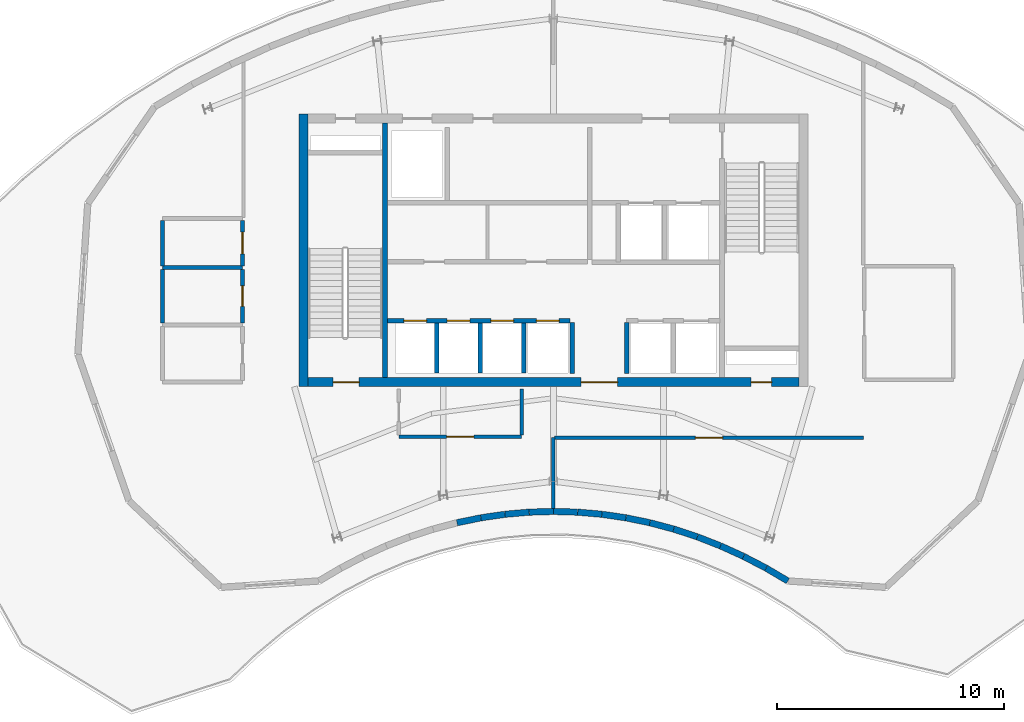
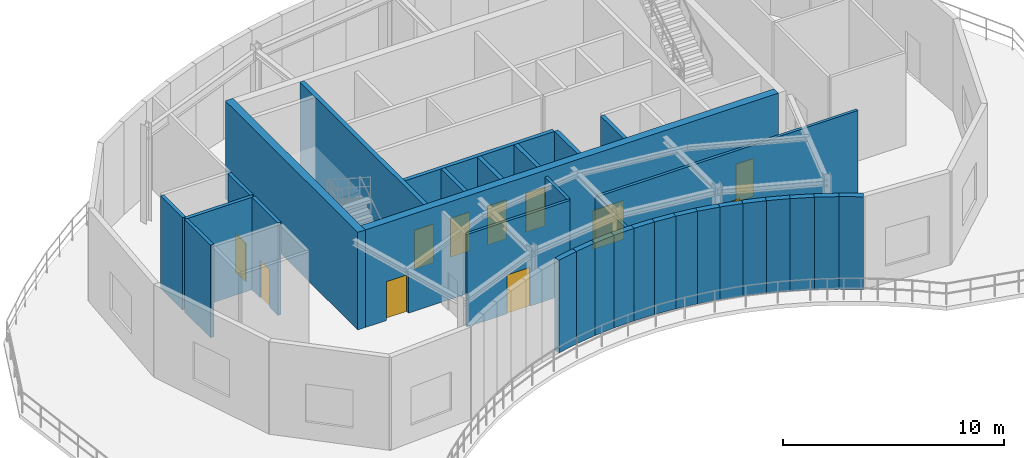
# One storey, part 3 of 8: 32 walls, 11 doors, 11 openings.
"""IFC4 building model written with IfcOpenShell, lengths in metres."""

from ifc_helpers import new_model, si_unit, direction, frame, frame_2d, origin, place, context, subcontext, project, spatial, rectangle, extrude, source, transform, mapped, material, layer, layer_set, type_object, type_shapes, element, fill, save


model = new_model("IFC4")

# Units and contexts
model_context = context("Model", 3, precision=1e-05, world=origin(), true_north=direction((0.0, 1.0)))
body_context = subcontext(model_context, "Body", "Model", "MODEL_VIEW")
ifc_project = project(units=[si_unit("LENGTHUNIT", "METRE"), si_unit("AREAUNIT", "SQUARE_METRE"), si_unit("VOLUMEUNIT", "CUBIC_METRE"), si_unit("PLANEANGLEUNIT", "RADIAN"), si_unit("MASSUNIT", "GRAM", prefix="KILO")], contexts=[model_context])

# Site, building, storey
site_placement = place(None, origin())
site = spatial("IfcSite", under=ifc_project, at=site_placement, CompositionType="ELEMENT")
building_placement = place(site_placement, origin())
building = spatial("IfcBuilding", under=site, at=building_placement, Name="Breltana Convention Tower", CompositionType="ELEMENT")
storey_placement = place(building_placement, frame((0.0, 0.0, 312.60009765625)))
storey = spatial("IfcBuildingStorey", under=building, at=storey_placement, Name="L76", CompositionType="ELEMENT", Elevation=312.60009765625)

# Wall
ifc_material_1 = material(Name="Concrete C50/60", Category="concrete")
ifc_layer_1 = layer(ifc_material_1, 0.39990234375, Name="Concrete C50/60")
ifc_layer_set_1 = layer_set([ifc_layer_1], Name="Concrete C50/60")
wall_type_1 = type_object("IfcWallType", Name="SW-CORE-400", PredefinedType="SHEAR", material=ifc_layer_set_1)
shared_shape_1 = source(origin(), body_context, "Body", "SweptSolid", [
    extrude(rectangle(XDim=12.0, YDim=0.39990234375, at=frame_2d((6.0, 0.0))), origin(), (0.0, 0.0, 1.0), 5.39990234375),
])
wall_1_placement = place(storey_placement, frame((37.0, 60.199951171875, 0.0), z_axis=(0.0, 0.0, 1.0), x_axis=(0.0, 1.0, 0.0)))
element("IfcWall", 1, at=wall_1_placement, inside=storey, type_object=wall_type_1, Name="L76 West Core Shear Wall", PredefinedType="SHEAR", context=body_context, shape_type="MappedRepresentation", body=[
    mapped(shared_shape_1, transform((0.0, 0.0, 0.0), scale=1.0)),
])

# Wall, openings, doors
shared_shape_2 = source(origin(), body_context, "Body", "SweptSolid", [
    extrude(rectangle(XDim=21.60009765625, YDim=0.39990234375, at=frame_2d((10.800048828125, 0.0))), origin(), (0.0, 0.0, 1.0), 5.39990234375),
])
wall_2_placement = place(storey_placement, frame((37.199951171875, 60.39990234375, 0.0), z_axis=(0.0, 0.0, 1.0), x_axis=(1.0, 0.0, 0.0)))
wall_2 = element("IfcWall", 2, at=wall_2_placement, inside=storey, type_object=wall_type_1, Name="L76 South Core Shear Wall", PredefinedType="SHEAR", context=body_context, shape_type="MappedRepresentation", body=[
    mapped(shared_shape_2, transform((0.0, 0.0, 0.0), scale=1.0)),
])
opening_1_placement = place(wall_2_placement, frame((1.10009765625, 0.0, 0.0)))
opening_1 = element("IfcOpeningElement", 3, at=opening_1_placement, cuts=wall_2, Name="Opening D-11", PredefinedType="OPENING", context=body_context, shape_type="SweptSolid", body=[
    extrude(rectangle(XDim=1.14990234375, YDim=2.14990234375, at=frame_2d((0.574951171875, 1.074951171875))), frame((0.0, 0.2099609375, 0.0), z_axis=(0.0, -1.0, 0.0), x_axis=(1.0, 0.0, 0.0)), (0.0, 0.0, 1.0), 0.419921875),
])
opening_2_placement = place(wall_2_placement, frame((19.5, 0.0, 0.0)))
opening_2 = element("IfcOpeningElement", 4, at=opening_2_placement, cuts=wall_2, Name="Opening D-18", PredefinedType="OPENING", context=body_context, shape_type="SweptSolid", body=[
    extrude(rectangle(XDim=0.89990234375, YDim=2.10009765625, at=frame_2d((0.449951171875, 1.050048828125))), frame((0.0, 0.2099609375, 0.0), z_axis=(0.0, -1.0, 0.0), x_axis=(1.0, 0.0, 0.0)), (0.0, 0.0, 1.0), 0.419921875),
])
opening_3_placement = place(wall_2_placement, frame((12.02001953125, 0.0, 0.0)))
opening_3 = element("IfcOpeningElement", 5, at=opening_3_placement, cuts=wall_2, Name="Opening D-02", PredefinedType="OPENING", context=body_context, shape_type="SweptSolid", body=[
    extrude(rectangle(XDim=1.60009765625, YDim=2.14990234375, at=frame_2d((0.800048828125, 1.074951171875))), frame((0.0, 0.2099609375, 0.0), z_axis=(0.0, -1.0, 0.0), x_axis=(1.0, 0.0, 0.0)), (0.0, 0.0, 1.0), 0.419921875),
])
ifc_material_2 = material(Name="Steel Stair Exit Door", Category="steel")
door_type_1 = type_object("IfcDoorType", Name="DR-FD120-1150", OperationType="NOTDEFINED", PredefinedType="DOOR", material=ifc_material_2)
shared_shape_3 = source(origin(), body_context, "Body", "SweptSolid", [
    extrude(rectangle(XDim=1.14990234375, YDim=2.14990234375, at=frame_2d((0.574951171875, 1.074951171875))), frame((0.0, 0.02490234375, 0.0), z_axis=(0.0, -1.0, 0.0), x_axis=(1.0, 0.0, 0.0)), (0.0, 0.0, 1.0), 0.050048828125),
])
type_shapes(door_type_1, [shared_shape_3])
door_1_placement = place(opening_1_placement, origin())
door_1 = element("IfcDoor", 6, at=door_1_placement, inside=storey, type_object=door_type_1, Name="L76 interior door D-L76-ST1", OperationType="SINGLE_SWING_LEFT", OverallHeight=2.14990234375, OverallWidth=1.14990234375, PredefinedType="DOOR", context=body_context, shape_type="MappedRepresentation", body=[
    mapped(shared_shape_3, transform((0.0, 0.0, 0.0), scale=1.0)),
])
fill(opening_1, door_1)
ifc_material_3 = material(Name="Steel Riser Fire Door", Category="steel")
door_type_2 = type_object("IfcDoorType", Name="DR-FD60-900", OperationType="NOTDEFINED", PredefinedType="DOOR", material=ifc_material_3)
shared_shape_4 = source(origin(), body_context, "Body", "SweptSolid", [
    extrude(rectangle(XDim=0.89990234375, YDim=2.10009765625, at=frame_2d((0.449951171875, 1.050048828125))), frame((0.0, 0.02490234375, 0.0), z_axis=(0.0, -1.0, 0.0), x_axis=(1.0, 0.0, 0.0)), (0.0, 0.0, 1.0), 0.050048828125),
])
type_shapes(door_type_2, [shared_shape_4])
door_2_placement = place(opening_2_placement, origin())
door_2 = element("IfcDoor", 7, at=door_2_placement, inside=storey, type_object=door_type_2, Name="L76 Core Riser Access Door D-L76-RS2", OperationType="SINGLE_SWING_RIGHT", OverallHeight=2.10009765625, OverallWidth=0.89990234375, PredefinedType="DOOR", context=body_context, shape_type="MappedRepresentation", body=[
    mapped(shared_shape_4, transform((0.0, 0.0, 0.0), scale=1.0)),
])
fill(opening_2, door_2)
ifc_material_4 = material(Name="Steel Glazed Smoke-Control Door", Category="steel")
door_type_3 = type_object("IfcDoorType", Name="DR-DBL-FD90-1600", OperationType="DOUBLE_DOOR_SINGLE_SWING", PredefinedType="DOOR", material=ifc_material_4)
shared_shape_5 = source(origin(), body_context, "Body", "SweptSolid", [
    extrude(rectangle(XDim=1.60009765625, YDim=2.14990234375, at=frame_2d((0.800048828125, 1.074951171875))), frame((0.0, 0.02490234375, 0.0), z_axis=(0.0, -1.0, 0.0), x_axis=(1.0, 0.0, 0.0)), (0.0, 0.0, 1.0), 0.050048828125),
])
type_shapes(door_type_3, [shared_shape_5])
door_3_placement = place(opening_3_placement, origin())
door_3 = element("IfcDoor", 8, at=door_3_placement, inside=storey, type_object=door_type_3, Name="L76 interior door D-L76-LLB-S", OperationType="DOUBLE_DOOR_SINGLE_SWING", OverallHeight=2.14990234375, OverallWidth=1.60009765625, PredefinedType="DOOR", context=body_context, shape_type="MappedRepresentation", body=[
    mapped(shared_shape_5, transform((0.0, 0.0, 0.0), scale=1.0)),
])
fill(opening_3, door_3)

# Walls
shared_shape_6 = source(origin(), body_context, "Body", "SweptSolid", [
    extrude(rectangle(XDim=11.199951171875, YDim=0.219970703125, at=frame_2d((5.60009765625, 0.0))), origin(), (0.0, 0.0, 1.0), 5.39990234375),
])
wall_3_placement = place(storey_placement, frame((40.580078125, 60.60009765625, 0.0), z_axis=(0.0, 0.0, 1.0), x_axis=(0.0, 1.0, 0.0)))
element("IfcWall", 9, at=wall_3_placement, inside=storey, type_object=wall_type_1, Name="L76 Core West Stair Spine Wall", PredefinedType="SHEAR", context=body_context, shape_type="MappedRepresentation", body=[
    mapped(shared_shape_6, transform((0.0, 0.0, 0.0), scale=1.0)),
])
ifc_material_5 = material(Name="Limestone Buff Insulated Wall", Category="masonry")
ifc_layer_2 = layer(ifc_material_5, 0.280029296875, Name="Limestone Buff Insulated Wall")
ifc_layer_set_2 = layer_set([ifc_layer_2], Name="Limestone Buff Insulated Wall")
wall_type_2 = type_object("IfcWallType", Name="WL-EXT-NOSE-280", PredefinedType="SOLIDWALL", material=ifc_layer_set_2)
shared_shape_7 = source(origin(), body_context, "Body", "SweptSolid", [
    extrude(rectangle(XDim=1.10986328125, YDim=0.280029296875, at=frame_2d((0.554931640625, 0.0))), origin(), (0.0, 0.0, 1.0), 5.119873046875),
])
wall_4_placement = place(storey_placement, frame((58.31494140625, 51.650390625, 0.0), z_axis=(0.0, 0.0, 1.0), x_axis=(-0.861407855959, 0.507913876254, 0.0)))
element("IfcWall", 10, at=wall_4_placement, inside=storey, type_object=wall_type_2, Name="L76 Sky Lookout enclosure wall 6", PredefinedType="SOLIDWALL", context=body_context, shape_type="MappedRepresentation", body=[
    mapped(shared_shape_7, transform((0.0, 0.0, 0.0), scale=1.0)),
])
shared_shape_8 = source(origin(), body_context, "Body", "SweptSolid", [
    extrude(rectangle(XDim=1.116455078125, YDim=0.280029296875, at=frame_2d((0.55810546875, 0.0))), origin(), (0.0, 0.0, 1.0), 5.119873046875),
])
wall_5_placement = place(storey_placement, frame((57.355224609375, 52.21630859375, 0.0), z_axis=(0.0, 0.0, 1.0), x_axis=(-0.886822600165, 0.462110025684, 0.0)))
element("IfcWall", 11, at=wall_5_placement, inside=storey, type_object=wall_type_2, Name="L76 Sky Lookout enclosure wall 8", PredefinedType="SOLIDWALL", context=body_context, shape_type="MappedRepresentation", body=[
    mapped(shared_shape_8, transform((0.0, 0.0, 0.0), scale=1.0)),
])
shared_shape_9 = source(origin(), body_context, "Body", "SweptSolid", [
    extrude(rectangle(XDim=1.10546875, YDim=0.280029296875, at=frame_2d((0.552734375, 0.0))), origin(), (0.0, 0.0, 1.0), 5.119873046875),
])
wall_6_placement = place(storey_placement, frame((56.361328125, 52.73388671875, 0.0), z_axis=(0.0, 0.0, 1.0), x_axis=(-0.910215134163, 0.414135738063, 0.0)))
element("IfcWall", 12, at=wall_6_placement, inside=storey, type_object=wall_type_2, Name="L76 Sky Lookout enclosure wall 10", PredefinedType="SOLIDWALL", context=body_context, shape_type="MappedRepresentation", body=[
    mapped(shared_shape_9, transform((0.0, 0.0, 0.0), scale=1.0)),
])
shared_shape_10 = source(origin(), body_context, "Body", "SweptSolid", [
    extrude(rectangle(XDim=1.094970703125, YDim=0.280029296875, at=frame_2d((0.54736328125, 0.0))), origin(), (0.0, 0.0, 1.0), 5.119873046875),
])
wall_7_placement = place(storey_placement, frame((55.351318359375, 53.193359375, 0.0), z_axis=(0.0, 0.0, 1.0), x_axis=(-0.931459710654, 0.363844482477, 0.0)))
element("IfcWall", 13, at=wall_7_placement, inside=storey, type_object=wall_type_2, Name="L76 Sky Lookout enclosure wall 12", PredefinedType="SOLIDWALL", context=body_context, shape_type="MappedRepresentation", body=[
    mapped(shared_shape_10, transform((0.0, 0.0, 0.0), scale=1.0)),
])
shared_shape_11 = source(origin(), body_context, "Body", "SweptSolid", [
    extrude(rectangle(XDim=1.0859375, YDim=0.280029296875, at=frame_2d((0.54296875, 0.0))), origin(), (0.0, 0.0, 1.0), 5.119873046875),
])
wall_8_placement = place(storey_placement, frame((54.3271484375, 53.59326171875, 0.0), z_axis=(0.0, 0.0, 1.0), x_axis=(-0.950222994825, 0.311570634215, 0.0)))
element("IfcWall", 14, at=wall_8_placement, inside=storey, type_object=wall_type_2, Name="L76 Sky Lookout enclosure wall 14", PredefinedType="SOLIDWALL", context=body_context, shape_type="MappedRepresentation", body=[
    mapped(shared_shape_11, transform((0.0, 0.0, 0.0), scale=1.0)),
])
shared_shape_12 = source(origin(), body_context, "Body", "SweptSolid", [
    extrude(rectangle(XDim=1.07861328125, YDim=0.280029296875, at=frame_2d((0.539306640625, 0.0))), origin(), (0.0, 0.0, 1.0), 5.119873046875),
])
wall_9_placement = place(storey_placement, frame((53.291015625, 53.932861328125, 0.0), z_axis=(0.0, 0.0, 1.0), x_axis=(-0.966257476267, 0.257578123212, 0.0)))
element("IfcWall", 15, at=wall_9_placement, inside=storey, type_object=wall_type_2, Name="L76 Sky Lookout enclosure wall 16", PredefinedType="SOLIDWALL", context=body_context, shape_type="MappedRepresentation", body=[
    mapped(shared_shape_12, transform((0.0, 0.0, 0.0), scale=1.0)),
])
shared_shape_13 = source(origin(), body_context, "Body", "SweptSolid", [
    extrude(rectangle(XDim=1.072021484375, YDim=0.280029296875, at=frame_2d((0.5361328125, 0.0))), origin(), (0.0, 0.0, 1.0), 5.119873046875),
])
for number, where, z_axis, x_axis, name in (
    (16, (52.244384765625, 54.211669921875, 0.0), (0.0, 0.0, 1.0), (-0.979380232321, 0.202025643272, 0.0), "L76 Sky Lookout enclosure wall 18"),
    (17, (44.805419921875, 54.42822265625, 0.0), (0.0, 0.0, 1.0), (-0.979380232321, -0.202025643272, 0.0), "L76 Sky Lookout enclosure wall 32"),
):
    element("IfcWall", number, at=place(storey_placement, frame(where, z_axis=z_axis, x_axis=x_axis)), inside=storey, type_object=wall_type_2, Name=name, PredefinedType="SOLIDWALL", context=body_context, shape_type="MappedRepresentation", body=[
        mapped(shared_shape_13, transform((0.0, 0.0, 0.0), scale=1.0)),
    ])
shared_shape_14 = source(origin(), body_context, "Body", "SweptSolid", [
    extrude(rectangle(XDim=1.0673828125, YDim=0.280029296875, at=frame_2d((0.53369140625, 0.0))), origin(), (0.0, 0.0, 1.0), 5.119873046875),
])
for number, where, z_axis, x_axis, name in (
    (18, (51.18994140625, 54.42919921875, 0.0), (0.0, 0.0, 1.0), (-0.989430671067, 0.14500671416, 0.0), "L76 Sky Lookout enclosure wall 20"),
    (19, (45.8662109375, 54.583984375, 0.0), (0.0, 0.0, 1.0), (-0.989430671067, -0.14500671416, 0.0), "L76 Sky Lookout enclosure wall 30"),
):
    element("IfcWall", number, at=place(storey_placement, frame(where, z_axis=z_axis, x_axis=x_axis)), inside=storey, type_object=wall_type_2, Name=name, PredefinedType="SOLIDWALL", context=body_context, shape_type="MappedRepresentation", body=[
        mapped(shared_shape_14, transform((0.0, 0.0, 0.0), scale=1.0)),
    ])
shared_shape_15 = source(origin(), body_context, "Body", "SweptSolid", [
    extrude(rectangle(XDim=1.064208984375, YDim=0.280029296875, at=frame_2d((0.5322265625, 0.0))), origin(), (0.0, 0.0, 1.0), 5.119873046875),
])
for number, where, z_axis, x_axis, name in (
    (20, (50.129150390625, 54.58447265625, 0.0), (0.0, 0.0, 1.0), (-0.996172270916, 0.087411707789, 0.0), "L76 Sky Lookout enclosure wall 22"),
    (21, (46.930908203125, 54.677490234375, 0.0), (0.0, 0.0, 1.0), (-0.996172270916, -0.087411707789, 0.0), "L76 Sky Lookout enclosure wall 28"),
):
    element("IfcWall", number, at=place(storey_placement, frame(where, z_axis=z_axis, x_axis=x_axis)), inside=storey, type_object=wall_type_2, Name=name, PredefinedType="SOLIDWALL", context=body_context, shape_type="MappedRepresentation", body=[
        mapped(shared_shape_15, transform((0.0, 0.0, 0.0), scale=1.0)),
    ])
shared_shape_16 = source(origin(), body_context, "Body", "SweptSolid", [
    extrude(rectangle(XDim=1.062744140625, YDim=0.280029296875, at=frame_2d((0.53125, 0.0))), origin(), (0.0, 0.0, 1.0), 5.119873046875),
])
for number, where, z_axis, x_axis, name in (
    (22, (49.064453125, 54.677978515625, 0.0), (0.0, 0.0, 1.0), (-0.99957428213, 0.029176266107, 0.0), "L76 Sky Lookout enclosure wall 24"),
    (23, (47.997802734375, 54.708984375, 0.0), (0.0, 0.0, 1.0), (-0.99957428213, -0.029176266107, 0.0), "L76 Sky Lookout enclosure wall 26"),
):
    element("IfcWall", number, at=place(storey_placement, frame(where, z_axis=z_axis, x_axis=x_axis)), inside=storey, type_object=wall_type_2, Name=name, PredefinedType="SOLIDWALL", context=body_context, shape_type="MappedRepresentation", body=[
        mapped(shared_shape_16, transform((0.0, 0.0, 0.0), scale=1.0)),
    ])
ifc_material_6 = material(Name="Autoclaved Aerated Concrete Block", Category="concrete")
ifc_layer_3 = layer(ifc_material_6, 0.199951171875, Name="Autoclaved Aerated Concrete Block")
ifc_layer_set_3 = layer_set([ifc_layer_3], Name="Autoclaved Aerated Concrete Block")
wall_type_3 = type_object("IfcWallType", Name="WL-SHAFT-200", PredefinedType="SOLIDWALL", material=ifc_layer_set_3)
shared_shape_17 = source(origin(), body_context, "Body", "SweptSolid", [
    extrude(rectangle(XDim=2.239990234375, YDim=0.199951171875, at=frame_2d((1.1201171875, 0.0))), origin(), (0.0, 0.0, 1.0), 5.119873046875),
])
for number, where, z_axis, x_axis, name in (
    (24, (48.820068359375, 60.780029296875, 0.0), (0.0, 0.0, 1.0), (0.0, 1.0, 0.0), "L76 interior partition W-L76-PORT-W"),
    (25, (51.219970703125, 60.780029296875, 0.0), (0.0, 0.0, 1.0), (0.0, 1.0, 0.0), "L76 interior partition W-L76-PORT-E"),
):
    element("IfcWall", number, at=place(storey_placement, frame(where, z_axis=z_axis, x_axis=x_axis)), inside=storey, type_object=wall_type_3, Name=name, PredefinedType="SOLIDWALL", context=body_context, shape_type="MappedRepresentation", body=[
        mapped(shared_shape_17, transform((0.0, 0.0, 0.0), scale=1.0)),
    ])

# Wall, openings, doors
shared_shape_18 = source(origin(), body_context, "Body", "SweptSolid", [
    extrude(rectangle(XDim=8.02001953125, YDim=0.199951171875, at=frame_2d((4.010009765625, 0.0))), origin(), (0.0, 0.0, 1.0), 5.119873046875),
])
wall_10_placement = place(storey_placement, frame((40.699951171875, 63.10009765625, 0.0), z_axis=(0.0, 0.0, 1.0), x_axis=(1.0, 0.0, 0.0)))
wall_10 = element("IfcWall", 26, at=wall_10_placement, inside=storey, type_object=wall_type_3, Name="L76 interior partition W-L76-SH-S-FRONT", PredefinedType="SOLIDWALL", context=body_context, shape_type="MappedRepresentation", body=[
    mapped(shared_shape_18, transform((0.0, 0.0, 0.0), scale=1.0)),
])
opening_4_placement = place(wall_10_placement, frame((0.719970703125, 0.0, 0.0)))
opening_4 = element("IfcOpeningElement", 27, at=opening_4_placement, cuts=wall_10, Name="Opening LD-04", PredefinedType="OPENING", context=body_context, shape_type="SweptSolid", body=[
    extrude(rectangle(XDim=1.0, YDim=2.14990234375, at=frame_2d((0.5, 1.074951171875))), frame((0.0, 0.10986328125, 0.0), z_axis=(0.0, -1.0, 0.0), x_axis=(1.0, 0.0, 0.0)), (0.0, 0.0, 1.0), 0.219970703125),
])
opening_5_placement = place(wall_10_placement, frame((2.6201171875, 0.0, 0.0)))
opening_5 = element("IfcOpeningElement", 28, at=opening_5_placement, cuts=wall_10, Name="Opening LD-04", PredefinedType="OPENING", context=body_context, shape_type="SweptSolid", body=[
    extrude(rectangle(XDim=1.0, YDim=2.14990234375, at=frame_2d((0.5, 1.074951171875))), frame((0.0, 0.10986328125, 0.0), z_axis=(0.0, -1.0, 0.0), x_axis=(1.0, 0.0, 0.0)), (0.0, 0.0, 1.0), 0.219970703125),
])
opening_6_placement = place(wall_10_placement, frame((4.550048828125, 0.0, 0.0)))
opening_6 = element("IfcOpeningElement", 29, at=opening_6_placement, cuts=wall_10, Name="Opening LD-04", PredefinedType="OPENING", context=body_context, shape_type="SweptSolid", body=[
    extrude(rectangle(XDim=1.0, YDim=2.14990234375, at=frame_2d((0.5, 1.074951171875))), frame((0.0, 0.10986328125, 0.0), z_axis=(0.0, -1.0, 0.0), x_axis=(1.0, 0.0, 0.0)), (0.0, 0.0, 1.0), 0.219970703125),
])
opening_7_placement = place(wall_10_placement, frame((6.550048828125, 0.0, 0.0)))
opening_7 = element("IfcOpeningElement", 30, at=opening_7_placement, cuts=wall_10, Name="Opening LD-04", PredefinedType="OPENING", context=body_context, shape_type="SweptSolid", body=[
    extrude(rectangle(XDim=1.0, YDim=2.14990234375, at=frame_2d((0.5, 1.074951171875))), frame((0.0, 0.10986328125, 0.0), z_axis=(0.0, -1.0, 0.0), x_axis=(1.0, 0.0, 0.0)), (0.0, 0.0, 1.0), 0.219970703125),
])
ifc_material_7 = material(Name="Stainless Steel Brushed", Category="steel")
door_type_4 = type_object("IfcDoorType", Name="DR-LD-PAX-1000", OperationType="DOUBLE_DOOR_SLIDING", PredefinedType="DOOR", material=ifc_material_7)
shared_shape_19 = source(origin(), body_context, "Body", "SweptSolid", [
    extrude(rectangle(XDim=1.0, YDim=2.14990234375, at=frame_2d((0.5, 1.074951171875))), frame((0.0, 0.02490234375, 0.0), z_axis=(0.0, -1.0, 0.0), x_axis=(1.0, 0.0, 0.0)), (0.0, 0.0, 1.0), 0.050048828125),
])
type_shapes(door_type_4, [shared_shape_19])
door_4_placement = place(opening_4_placement, origin())
door_4 = element("IfcDoor", 31, at=door_4_placement, inside=storey, type_object=door_type_4, Name="L76 Lift Landing Door D-L76-LD-S1", OperationType="DOUBLE_DOOR_SLIDING", OverallHeight=2.14990234375, OverallWidth=1.0, PredefinedType="DOOR", context=body_context, shape_type="MappedRepresentation", body=[
    mapped(shared_shape_19, transform((0.0, 0.0, 0.0), scale=1.0)),
])
fill(opening_4, door_4)
door_5_placement = place(opening_5_placement, origin())
door_5 = element("IfcDoor", 32, at=door_5_placement, inside=storey, type_object=door_type_4, Name="L76 Lift Landing Door D-L76-LD-S2", OperationType="DOUBLE_DOOR_SLIDING", OverallHeight=2.14990234375, OverallWidth=1.0, PredefinedType="DOOR", context=body_context, shape_type="MappedRepresentation", body=[
    mapped(shared_shape_19, transform((0.0, 0.0, 0.0), scale=1.0)),
])
fill(opening_5, door_5)
door_6_placement = place(opening_6_placement, origin())
door_6 = element("IfcDoor", 33, at=door_6_placement, inside=storey, type_object=door_type_4, Name="L76 Lift Landing Door D-L76-LD-S3", OperationType="DOUBLE_DOOR_SLIDING", OverallHeight=2.14990234375, OverallWidth=1.0, PredefinedType="DOOR", context=body_context, shape_type="MappedRepresentation", body=[
    mapped(shared_shape_19, transform((0.0, 0.0, 0.0), scale=1.0)),
])
fill(opening_6, door_6)
door_7_placement = place(opening_7_placement, origin())
door_7 = element("IfcDoor", 34, at=door_7_placement, inside=storey, type_object=door_type_4, Name="L76 Lift Landing Door D-L76-LD-S4", OperationType="DOUBLE_DOOR_SLIDING", OverallHeight=2.14990234375, OverallWidth=1.0, PredefinedType="DOOR", context=body_context, shape_type="MappedRepresentation", body=[
    mapped(shared_shape_19, transform((0.0, 0.0, 0.0), scale=1.0)),
])
fill(opening_7, door_7)

# Walls
shared_shape_20 = source(origin(), body_context, "Body", "SweptSolid", [
    extrude(rectangle(XDim=2.199951171875, YDim=0.199951171875, at=frame_2d((1.10009765625, 0.0))), origin(), (0.0, 0.0, 1.0), 5.119873046875),
])
for number, where, z_axis, x_axis, name in (
    (35, (42.8701171875, 60.800048828125, 0.0), (0.0, 0.0, 1.0), (0.0, 1.0, 0.0), "L76 interior partition W-L76-SH-S-DIV1"),
    (36, (44.77001953125, 60.800048828125, 0.0), (0.0, 0.0, 1.0), (0.0, 1.0, 0.0), "L76 interior partition W-L76-SH-S-DIV2"),
    (37, (46.699951171875, 60.800048828125, 0.0), (0.0, 0.0, 1.0), (0.0, 1.0, 0.0), "L76 interior partition W-L76-SH-S-DIV3"),
):
    element("IfcWall", number, at=place(storey_placement, frame(where, z_axis=z_axis, x_axis=x_axis)), inside=storey, type_object=wall_type_3, Name=name, PredefinedType="SOLIDWALL", context=body_context, shape_type="MappedRepresentation", body=[
        mapped(shared_shape_20, transform((0.0, 0.0, 0.0), scale=1.0)),
    ])

# Wall, opening, door
ifc_material_8 = material(Name="Gypsum Acoustic Drywall Partition")
ifc_layer_4 = layer(ifc_material_8, 0.14990234375, Name="Gypsum Acoustic Drywall Partition")
ifc_layer_set_4 = layer_set([ifc_layer_4], Name="Gypsum Acoustic Drywall Partition")
wall_type_4 = type_object("IfcWallType", Name="WL-PART-150", PredefinedType="PARTITIONING", material=ifc_layer_set_4)
shared_shape_21 = source(origin(), body_context, "Body", "SweptSolid", [
    extrude(rectangle(XDim=5.400146484375, YDim=0.14990234375, at=frame_2d((2.7001953125, 0.0))), origin(), (0.0, 0.0, 1.0), 5.119873046875),
])
wall_11_placement = place(storey_placement, frame((41.199951171875, 58.0, 0.0), z_axis=(0.0, 0.0, 1.0), x_axis=(1.0, 0.0, 0.0)))
wall_11 = element("IfcWall", 38, at=wall_11_placement, inside=storey, type_object=wall_type_4, Name="L76 interior partition W-L76-CRSC-S", PredefinedType="PARTITIONING", context=body_context, shape_type="MappedRepresentation", body=[
    mapped(shared_shape_21, transform((0.0, 0.0, 0.0), scale=1.0)),
])
opening_8_placement = place(wall_11_placement, frame((2.10009765625, 0.0, 0.0)))
opening_8 = element("IfcOpeningElement", 39, at=opening_8_placement, cuts=wall_11, Name="Opening D-10", PredefinedType="OPENING", context=body_context, shape_type="SweptSolid", body=[
    extrude(rectangle(XDim=1.199951171875, YDim=2.14990234375, at=frame_2d((0.60009765625, 1.074951171875))), frame((0.0, 0.0849609375, 0.0), z_axis=(0.0, -1.0, 0.0), x_axis=(1.0, 0.0, 0.0)), (0.0, 0.0, 1.0), 0.169921875),
])
ifc_material_9 = material(Name="Timber Oak Veneer Fire Door", Category="wood")
door_type_5 = type_object("IfcDoorType", Name="DR-INT-1200", OperationType="NOTDEFINED", PredefinedType="DOOR", material=ifc_material_9)
shared_shape_22 = source(origin(), body_context, "Body", "SweptSolid", [
    extrude(rectangle(XDim=1.199951171875, YDim=2.14990234375, at=frame_2d((0.60009765625, 1.074951171875))), frame((0.0, 0.02490234375, 0.0), z_axis=(0.0, -1.0, 0.0), x_axis=(1.0, 0.0, 0.0)), (0.0, 0.0, 1.0), 0.050048828125),
])
type_shapes(door_type_5, [shared_shape_22])
door_8_placement = place(opening_8_placement, origin())
door_8 = element("IfcDoor", 40, at=door_8_placement, inside=storey, type_object=door_type_5, Name="L76 interior door D-L76-SLFY", OperationType="SINGLE_SWING_RIGHT", OverallHeight=2.14990234375, OverallWidth=1.199951171875, PredefinedType="DOOR", context=body_context, shape_type="MappedRepresentation", body=[
    mapped(shared_shape_22, transform((0.0, 0.0, 0.0), scale=1.0)),
])
fill(opening_8, door_8)

# Walls
shared_shape_23 = source(origin(), body_context, "Body", "SweptSolid", [
    extrude(rectangle(XDim=2.03271484375, YDim=0.14990234375, at=frame_2d((1.016357421875, 0.0))), origin(), (0.0, 0.0, 1.0), 5.119873046875),
])
wall_12_placement = place(storey_placement, frame((46.60009765625, 58.0673828125, 0.0), z_axis=(0.0, 0.0, 1.0), x_axis=(0.0, 1.0, 0.0)))
element("IfcWall", 41, at=wall_12_placement, inside=storey, type_object=wall_type_4, Name="L76 interior partition W-L76-CRSC-E", PredefinedType="PARTITIONING", context=body_context, shape_type="MappedRepresentation", body=[
    mapped(shared_shape_23, transform((0.0, 0.0, 0.0), scale=1.0)),
])
ifc_material_10 = material(Name="Moisture-Resistant Gypsum Chase Wall")
ifc_layer_5 = layer(ifc_material_10, 0.179931640625, Name="Moisture-Resistant Gypsum Chase Wall")
ifc_layer_set_5 = layer_set([ifc_layer_5], Name="Moisture-Resistant Gypsum Chase Wall")
wall_type_5 = type_object("IfcWallType", Name="WL-PLUMB-180", PredefinedType="PLUMBINGWALL", material=ifc_layer_set_5)
shared_shape_24 = source(origin(), body_context, "Body", "SweptSolid", [
    extrude(rectangle(XDim=3.52001953125, YDim=0.179931640625, at=frame_2d((1.760009765625, 0.0))), origin(), (0.0, 0.0, 1.0), 5.119873046875),
])
wall_13_placement = place(storey_placement, frame((30.800048828125, 65.43994140625, 0.0), z_axis=(0.0, 0.0, 1.0), x_axis=(1.0, 0.0, 0.0)))
element("IfcWall", 42, at=wall_13_placement, inside=storey, type_object=wall_type_5, Name="L76 interior partition W-L76-WCF-N", PredefinedType="PLUMBINGWALL", context=body_context, shape_type="MappedRepresentation", body=[
    mapped(shared_shape_24, transform((0.0, 0.0, 0.0), scale=1.0)),
])
ifc_material_11 = material(Name="Cement Board Wet-Area Partition")
ifc_layer_6 = layer(ifc_material_11, 0.175048828125, Name="Cement Board Wet-Area Partition")
ifc_layer_set_6 = layer_set([ifc_layer_6], Name="Cement Board Wet-Area Partition")
wall_type_6 = type_object("IfcWallType", Name="WL-WET-175", PredefinedType="PARTITIONING", material=ifc_layer_set_6)
shared_shape_25 = source(origin(), body_context, "Body", "SweptSolid", [
    extrude(rectangle(XDim=2.3623046875, YDim=0.175048828125, at=frame_2d((1.18115234375, 0.0))), origin(), (0.0, 0.0, 1.0), 5.119873046875),
])
wall_14_placement = place(storey_placement, frame((30.800048828125, 62.998779296875, 0.0), z_axis=(0.0, 0.0, 1.0), x_axis=(0.0, 1.0, 0.0)))
element("IfcWall", 43, at=wall_14_placement, inside=storey, type_object=wall_type_6, Name="L76 interior partition W-L76-WCF-W", PredefinedType="PARTITIONING", context=body_context, shape_type="MappedRepresentation", body=[
    mapped(shared_shape_25, transform((0.0, 0.0, 0.0), scale=1.0)),
])

# Wall, opening, door
wall_15_placement = place(storey_placement, frame((34.320068359375, 62.998779296875, 0.0), z_axis=(0.0, 0.0, 1.0), x_axis=(0.0, 1.0, 0.0)))
wall_15 = element("IfcWall", 44, at=wall_15_placement, inside=storey, type_object=wall_type_6, Name="L76 interior partition W-L76-WCF-E", PredefinedType="PARTITIONING", context=body_context, shape_type="MappedRepresentation", body=[
    mapped(shared_shape_25, transform((0.0, 0.0, 0.0), scale=1.0)),
])
opening_9_placement = place(wall_15_placement, frame((0.731201171875, 0.0, 0.0)))
opening_9 = element("IfcOpeningElement", 45, at=opening_9_placement, cuts=wall_15, Name="Opening D-19", PredefinedType="OPENING", context=body_context, shape_type="SweptSolid", body=[
    extrude(rectangle(XDim=0.89990234375, YDim=2.080078125, at=frame_2d((0.449951171875, 1.0400390625))), frame((0.0, 0.09765625, 0.0), z_axis=(0.0, -1.0, 0.0), x_axis=(1.0, 0.0, 0.0)), (0.0, 0.0, 1.0), 0.195068359375),
])
ifc_material_12 = material(Name="Timber Moisture-Resistant Door", Category="wood")
door_type_6 = type_object("IfcDoorType", Name="DR-WC-900", OperationType="NOTDEFINED", PredefinedType="DOOR", material=ifc_material_12)
shared_shape_26 = source(origin(), body_context, "Body", "SweptSolid", [
    extrude(rectangle(XDim=0.89990234375, YDim=2.080078125, at=frame_2d((0.449951171875, 1.0400390625))), frame((0.0, 0.02490234375, 0.0), z_axis=(0.0, -1.0, 0.0), x_axis=(1.0, 0.0, 0.0)), (0.0, 0.0, 1.0), 0.050048828125),
])
type_shapes(door_type_6, [shared_shape_26])
door_9_placement = place(opening_9_placement, origin())
door_9 = element("IfcDoor", 46, at=door_9_placement, inside=storey, type_object=door_type_6, Name="L76 interior door D-L76-WCF", OperationType="SINGLE_SWING_LEFT", OverallHeight=2.080078125, OverallWidth=0.89990234375, PredefinedType="DOOR", context=body_context, shape_type="MappedRepresentation", body=[
    mapped(shared_shape_26, transform((0.0, 0.0, 0.0), scale=1.0)),
])
fill(opening_9, door_9)

# Wall
shared_shape_27 = source(origin(), body_context, "Body", "SweptSolid", [
    extrude(rectangle(XDim=2.00244140625, YDim=0.175048828125, at=frame_2d((1.001220703125, 0.0))), origin(), (0.0, 0.0, 1.0), 5.119873046875),
])
wall_16_placement = place(storey_placement, frame((30.800048828125, 65.518798828125, 0.0), z_axis=(0.0, 0.0, 1.0), x_axis=(0.0, 1.0, 0.0)))
element("IfcWall", 47, at=wall_16_placement, inside=storey, type_object=wall_type_6, Name="L76 interior partition W-L76-WCA-W", PredefinedType="PARTITIONING", context=body_context, shape_type="MappedRepresentation", body=[
    mapped(shared_shape_27, transform((0.0, 0.0, 0.0), scale=1.0)),
])

# Wall, opening, door
wall_17_placement = place(storey_placement, frame((34.320068359375, 65.518798828125, 0.0), z_axis=(0.0, 0.0, 1.0), x_axis=(0.0, 1.0, 0.0)))
wall_17 = element("IfcWall", 48, at=wall_17_placement, inside=storey, type_object=wall_type_6, Name="L76 interior partition W-L76-WCA-E", PredefinedType="PARTITIONING", context=body_context, shape_type="MappedRepresentation", body=[
    mapped(shared_shape_27, transform((0.0, 0.0, 0.0), scale=1.0)),
])
opening_10_placement = place(wall_17_placement, frame((0.526123046875, 0.0, 0.0)))
opening_10 = element("IfcOpeningElement", 49, at=opening_10_placement, cuts=wall_17, Name="Opening D-16", PredefinedType="OPENING", context=body_context, shape_type="SweptSolid", body=[
    extrude(rectangle(XDim=0.949951171875, YDim=2.1201171875, at=frame_2d((0.47509765625, 1.06005859375))), frame((0.0, 0.09765625, 0.0), z_axis=(0.0, -1.0, 0.0), x_axis=(1.0, 0.0, 0.0)), (0.0, 0.0, 1.0), 0.195068359375),
])
ifc_material_13 = material(Name="Timber Laminate Accessible Door", Category="wood")
door_type_7 = type_object("IfcDoorType", Name="DR-ACC-950", OperationType="NOTDEFINED", PredefinedType="DOOR", material=ifc_material_13)
shared_shape_28 = source(origin(), body_context, "Body", "SweptSolid", [
    extrude(rectangle(XDim=0.949951171875, YDim=2.1201171875, at=frame_2d((0.47509765625, 1.06005859375))), frame((0.0, 0.02490234375, 0.0), z_axis=(0.0, -1.0, 0.0), x_axis=(1.0, 0.0, 0.0)), (0.0, 0.0, 1.0), 0.050048828125),
])
type_shapes(door_type_7, [shared_shape_28])
door_10_placement = place(opening_10_placement, origin())
door_10 = element("IfcDoor", 50, at=door_10_placement, inside=storey, type_object=door_type_7, Name="L76 interior door D-L76-WCA", OperationType="SINGLE_SWING_RIGHT", OverallHeight=2.1201171875, OverallWidth=0.949951171875, PredefinedType="DOOR", context=body_context, shape_type="MappedRepresentation", body=[
    mapped(shared_shape_28, transform((0.0, 0.0, 0.0), scale=1.0)),
])
fill(opening_10, door_10)

# Wall
shared_shape_29 = source(origin(), body_context, "Body", "SweptSolid", [
    extrude(rectangle(XDim=3.14111328125, YDim=0.14990234375, at=frame_2d((1.570556640625, 0.0))), origin(), (0.0, 0.0, 1.0), 4.7939453125),
])
wall_18_placement = place(storey_placement, frame((48.0, 54.81884765625, 0.0), z_axis=(0.0, 0.0, 1.0), x_axis=(0.0, 1.0, 0.0)))
element("IfcWall", 51, at=wall_18_placement, inside=storey, type_object=wall_type_4, Name="L76 interior partition W-L76-L76-MID", PredefinedType="PARTITIONING", context=body_context, shape_type="MappedRepresentation", body=[
    mapped(shared_shape_29, transform((0.0, 0.0, 0.0), scale=1.0)),
])

# Wall, opening, door
shared_shape_30 = source(origin(), body_context, "Body", "SweptSolid", [
    extrude(rectangle(XDim=13.58984375, YDim=0.14990234375, at=frame_2d((6.794921875, 0.0))), origin(), (0.0, 0.0, 1.0), 4.852783203125),
])
wall_19_placement = place(storey_placement, frame((48.050048828125, 57.9599609375, 0.0), z_axis=(0.0, 0.0, 1.0), x_axis=(1.0, 0.0, 0.0)))
wall_19 = element("IfcWall", 52, at=wall_19_placement, inside=storey, type_object=wall_type_4, Name="L76 interior partition W-L76-L76-E", PredefinedType="PARTITIONING", context=body_context, shape_type="MappedRepresentation", body=[
    mapped(shared_shape_30, transform((0.0, 0.0, 0.0), scale=1.0)),
])
opening_11_placement = place(wall_19_placement, frame((6.195068359375, 0.0, 0.0)))
opening_11 = element("IfcOpeningElement", 53, at=opening_11_placement, cuts=wall_19, Name="Opening D-10", PredefinedType="OPENING", context=body_context, shape_type="SweptSolid", body=[
    extrude(rectangle(XDim=1.199951171875, YDim=2.14990234375, at=frame_2d((0.60009765625, 1.074951171875))), frame((0.0, 0.0849609375, 0.0), z_axis=(0.0, -1.0, 0.0), x_axis=(1.0, 0.0, 0.0)), (0.0, 0.0, 1.0), 0.169921875),
])
door_11_placement = place(opening_11_placement, origin())
door_11 = element("IfcDoor", 54, at=door_11_placement, inside=storey, type_object=door_type_5, Name="L76 interior door D-L76-SLVP", OperationType="SINGLE_SWING_LEFT", OverallHeight=2.14990234375, OverallWidth=1.199951171875, PredefinedType="DOOR", context=body_context, shape_type="MappedRepresentation", body=[
    mapped(shared_shape_22, transform((0.0, 0.0, 0.0), scale=1.0)),
])
fill(opening_11, door_11)

save(model, "model.ifc")
